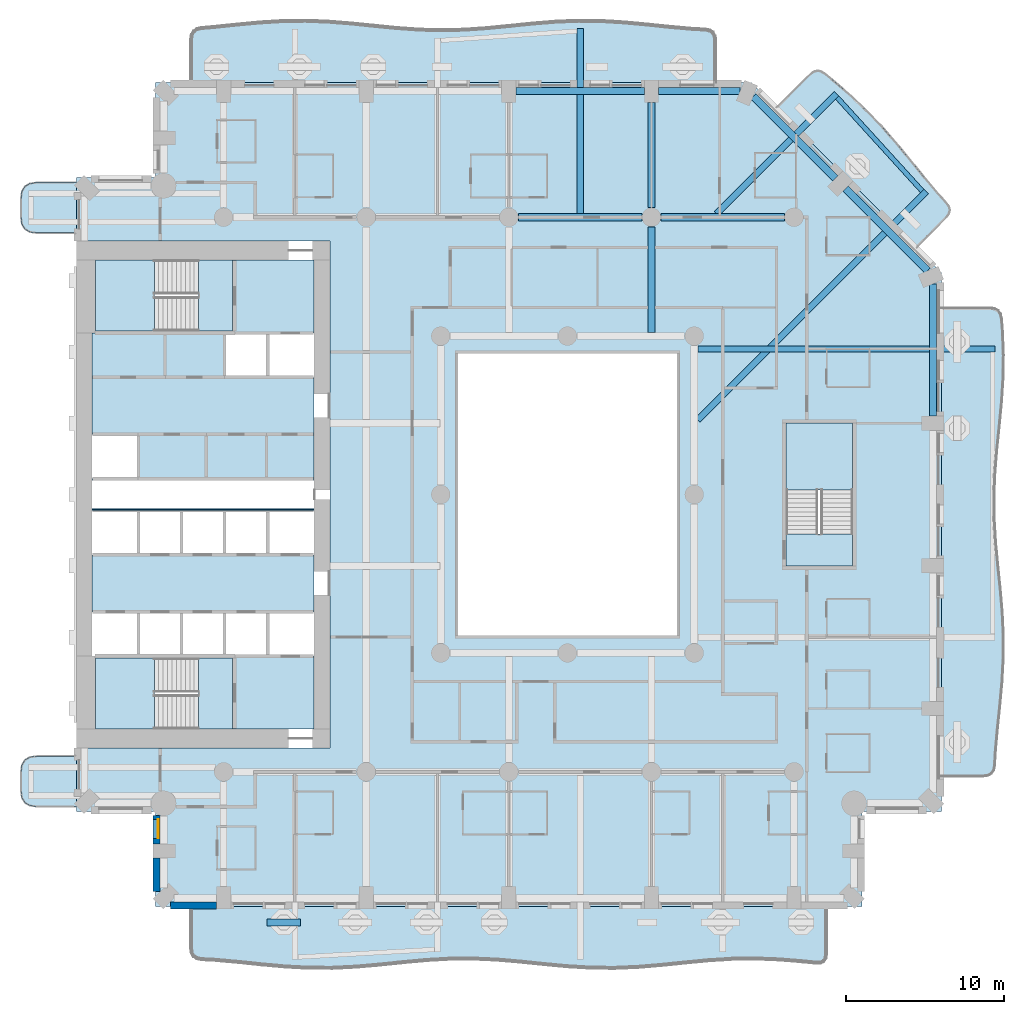
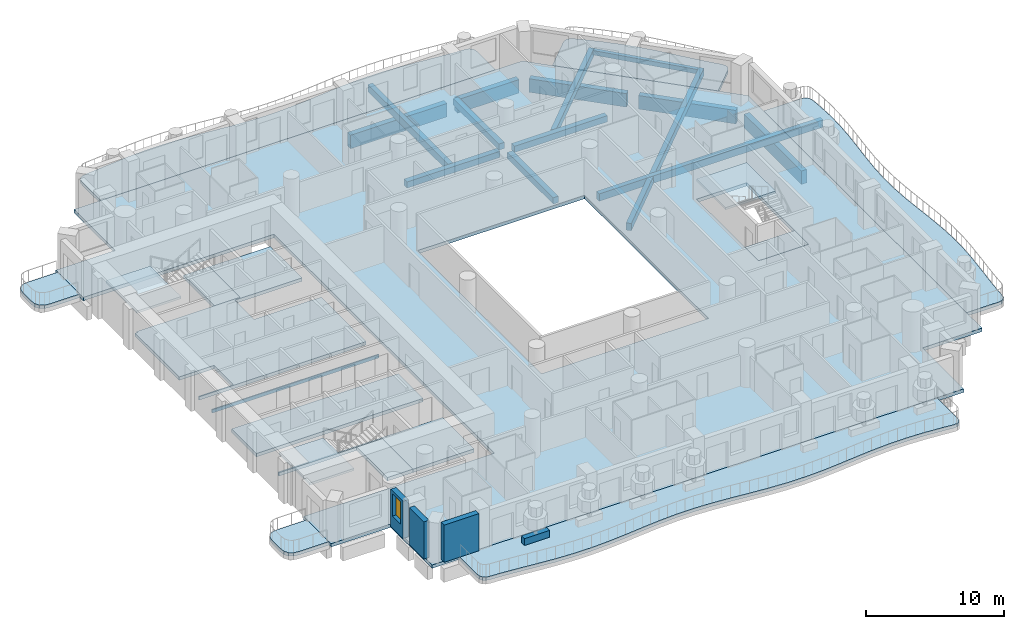
# One storey, part 2 of 20: 17 slabs, 14 beams, 4 walls, 1 window, 1 opening, 3 elements without a shape of their own.
"""IFC4 building model written with IfcOpenShell, lengths in metres."""

from ifc_helpers import new_model, si_unit, direction, frame, frame_2d, origin, origin_2d, place, context, subcontext, project, spatial, polyline, rectangle, outline, extrude, material, layer, layer_set, material_profile, profile_set, type_object, element, fill, aggregate, save


model = new_model("IFC4")

# Units and contexts
model_context = context("Model", 3, precision=1e-05, world=origin(), true_north=direction((0.0, 1.0)))
body_context = subcontext(model_context, "Body", "Model", "MODEL_VIEW")
ifc_project = project(units=[si_unit("LENGTHUNIT", "METRE"), si_unit("AREAUNIT", "SQUARE_METRE"), si_unit("VOLUMEUNIT", "CUBIC_METRE"), si_unit("PLANEANGLEUNIT", "RADIAN"), si_unit("MASSUNIT", "GRAM", prefix="KILO")], contexts=[model_context])

# Site, building, storey
site_placement = place(None, origin())
site = spatial("IfcSite", under=ifc_project, at=site_placement, CompositionType="ELEMENT")
building_placement = place(site_placement, origin())
building = spatial("IfcBuilding", under=site, at=building_placement, Name="Cypress Arch Tower", CompositionType="ELEMENT")
storey_placement = place(building_placement, frame((0.0, 0.0, 87.89990234375)))
storey = spatial("IfcBuildingStorey", under=building, at=storey_placement, Name="L16", CompositionType="ELEMENT", Elevation=87.89990234375)

# Beams
ifc_material_1 = material(Name="Concrete C50/60", Category="concrete")
ifc_material_profile_1 = material_profile(ifc_material_1, rectangle(XDim=0.300048828125, YDim=0.39990234375, at=origin_2d()), Name="RC 300x400")
ifc_profile_set_1 = profile_set([ifc_material_profile_1], Name="Concrete C50/60")
beam_type_1 = type_object("IfcBeamType", Name="Balcony edge beam RC 300x400 Concrete C50/60", PredefinedType="BEAM", material=ifc_profile_set_1)
beam_1_placement = place(storey_placement, frame((23.3857421875, 19.156494140625, -0.5), z_axis=(-0.673104178603, 0.739547675777, 0.0), x_axis=(-0.739547675777, -0.673104178603, 0.0)))
element("IfcBeam", 1, at=beam_1_placement, inside=storey, type_object=beam_type_1, Name="Balcony edge beam L16 A07", PredefinedType="BEAM", context=body_context, shape_type="SweptSolid", body=[
    extrude(rectangle(XDim=0.300048828125, YDim=0.39990234375, at=origin_2d()), origin(), (0.0, 0.0, 1.0), 7.9697265625),
])
ifc_material_2 = material(Name="Concrete C50/60", Category="concrete")
ifc_material_profile_2 = material_profile(ifc_material_2, rectangle(XDim=0.39990234375, YDim=0.64990234375, at=origin_2d()), Name="RC 400x650")
ifc_profile_set_2 = profile_set([ifc_material_profile_2], Name="Concrete C50/60")
beam_type_2 = type_object("IfcBeamType", Name="Cantilever beam RC 400x650 Concrete C50/60", PredefinedType="BEAM", material=ifc_profile_set_2)
beam_2_placement = place(storey_placement, frame((9.22509765625, 9.18798828125, -0.625), z_axis=(1.0, 0.0, 0.0), x_axis=(0.0, 1.0, 0.0)))
element("IfcBeam", 2, at=beam_2_placement, inside=storey, type_object=beam_type_2, Name="Cantilever beam L16 A06 2", PredefinedType="BEAM", context=body_context, shape_type="SweptSolid", body=[
    extrude(rectangle(XDim=0.39990234375, YDim=0.64990234375, at=origin_2d()), origin(), (0.0, 0.0, 1.0), 18.759033203125),
])
beam_3_placement = place(storey_placement, frame((9.22509765625, 4.712890625, -0.625), z_axis=(0.707100790305, 0.707112772018, 0.0), x_axis=(-0.707112772018, 0.707100790305, 0.0)))
element("IfcBeam", 3, at=beam_3_placement, inside=storey, type_object=beam_type_2, Name="Cantilever beam L16 A07 1", PredefinedType="BEAM", context=body_context, shape_type="SweptSolid", body=[
    extrude(rectangle(XDim=0.39990234375, YDim=0.64990234375, at=origin_2d()), origin(), (0.0, 0.0, 1.0), 20.376220703125),
])
beam_4_placement = place(storey_placement, frame((10.412841796875, 17.72509765625, -0.625), z_axis=(0.707118179241, 0.707095382949, 0.0), x_axis=(-0.707095382949, 0.707118179241, 0.0)))
element("IfcBeam", 4, at=beam_4_placement, inside=storey, type_object=beam_type_2, Name="Cantilever beam L16 A07 2", PredefinedType="BEAM", context=body_context, shape_type="SweptSolid", body=[
    extrude(rectangle(XDim=0.39990234375, YDim=0.64990234375, at=origin_2d()), origin(), (0.0, 0.0, 1.0), 10.709716796875),
])
beam_5_placement = place(storey_placement, frame((1.800048828125, 17.72509765625, -0.625), z_axis=(0.0, 1.0, 0.0), x_axis=(-1.0, 0.0, 0.0)))
element("IfcBeam", 5, at=beam_5_placement, inside=storey, type_object=beam_type_2, Name="Cantilever beam L16 A08 1", PredefinedType="BEAM", context=body_context, shape_type="SweptSolid", body=[
    extrude(rectangle(XDim=0.39990234375, YDim=0.64990234375, at=origin_2d()), origin(), (0.0, 0.0, 1.0), 11.671142578125),
])
ifc_material_3 = material(Name="Concrete C50/60", Category="concrete")
ifc_material_profile_3 = material_profile(ifc_material_3, rectangle(XDim=0.449951171875, YDim=0.550048828125, at=origin_2d()), Name="RC 450x550")
ifc_profile_set_3 = profile_set([ifc_material_profile_3], Name="Concrete C50/60")
beam_type_3 = type_object("IfcBeamType", Name="Floor beam RC 450x550 Concrete C50/60", PredefinedType="BEAM", material=ifc_profile_set_3)
for number, where, z_axis, x_axis, name in (
    (6, (-2.10009765625, 17.5, -0.574951171875), (1.0, 0.0, 0.0), (0.0, 1.0, 0.0), "Floor beam L16 FB017"),
    (7, (6.89990234375, 17.5, -0.574951171875), (1.0, 0.0, 0.0), (0.0, 1.0, 0.0), "Floor beam L16 FB018"),
):
    element("IfcBeam", number, at=place(storey_placement, frame(where, z_axis=z_axis, x_axis=x_axis)), inside=storey, type_object=beam_type_3, Name=name, PredefinedType="BEAM", context=body_context, shape_type="SweptSolid", body=[
        extrude(rectangle(XDim=0.449951171875, YDim=0.550048828125, at=origin_2d()), origin(), (0.0, 0.0, 1.0), 7.800048828125),
    ])
beam_6_placement = place(storey_placement, frame((6.300048828125, 10.22509765625, -0.574951171875), z_axis=(0.0, 1.0, 0.0), x_axis=(-1.0, 0.0, 0.0)))
element("IfcBeam", 8, at=beam_6_placement, inside=storey, type_object=beam_type_3, Name="Floor beam L16 FB032", PredefinedType="BEAM", context=body_context, shape_type="SweptSolid", body=[
    extrude(rectangle(XDim=0.449951171875, YDim=0.550048828125, at=origin_2d()), origin(), (0.0, 0.0, 1.0), 6.6748046875),
])
beam_7_placement = place(storey_placement, frame((6.300048828125, 18.10009765625, -0.574951171875), z_axis=(0.0, 1.0, 0.0), x_axis=(-1.0, 0.0, 0.0)))
element("IfcBeam", 9, at=beam_7_placement, inside=storey, type_object=beam_type_3, Name="Floor beam L16 FB033", PredefinedType="BEAM", context=body_context, shape_type="SweptSolid", body=[
    extrude(rectangle(XDim=0.449951171875, YDim=0.550048828125, at=origin_2d()), origin(), (0.0, 0.0, 1.0), 6.64990234375),
])
ifc_material_4 = material(Name="Concrete C50/60", Category="concrete")
ifc_material_profile_4 = material_profile(ifc_material_4, rectangle(XDim=0.449951171875, YDim=1.199951171875, at=origin_2d()), Name="RC 450x1200")
ifc_profile_set_4 = profile_set([ifc_material_profile_4], Name="Concrete C50/60")
beam_type_4 = type_object("IfcBeamType", Name="Spandrel beam RC 450x1200 Concrete C50/60", PredefinedType="SPANDREL", material=ifc_profile_set_4)
beam_8_placement = place(storey_placement, frame((24.074951171875, 4.949951171875, -1.5498046875), z_axis=(0.0, 1.0, 0.0), x_axis=(-1.0, 0.0, 0.0)))
element("IfcBeam", 10, at=beam_8_placement, inside=storey, type_object=beam_type_4, Name="Spandrel beam L16 BA06-3", PredefinedType="SPANDREL", context=body_context, shape_type="SweptSolid", body=[
    extrude(rectangle(XDim=0.449951171875, YDim=1.199951171875, at=origin_2d()), origin(), (0.0, 0.0, 1.0), 8.345458984375),
])
for number, where, z_axis, x_axis, name in (
    (11, (23.73046875, 14.126953125, -1.5498046875), (-0.707106781187, 0.707106781187, 0.0), (-0.707106781187, -0.707106781187, 0.0), "Spandrel beam L16 BA07-0"),
    (12, (17.91064453125, 19.947021484375, -1.5498046875), (-0.707106781187, 0.707106781187, 0.0), (-0.707106781187, -0.707106781187, 0.0), "Spandrel beam L16 BA07-1"),
):
    element("IfcBeam", number, at=place(storey_placement, frame(where, z_axis=z_axis, x_axis=x_axis)), inside=storey, type_object=beam_type_4, Name=name, PredefinedType="SPANDREL", context=body_context, shape_type="SweptSolid", body=[
        extrude(rectangle(XDim=0.449951171875, YDim=1.199951171875, at=origin_2d()), origin(), (0.0, 0.0, 1.0), 7.330810546875),
    ])
beam_9_placement = place(storey_placement, frame((11.8955078125, 25.47509765625, -1.5498046875), z_axis=(-1.0, 0.0, 0.0), x_axis=(0.0, -1.0, 0.0)))
element("IfcBeam", 13, at=beam_9_placement, inside=storey, type_object=beam_type_4, Name="Spandrel beam L16 BA08-0", PredefinedType="SPANDREL", context=body_context, shape_type="SweptSolid", body=[
    extrude(rectangle(XDim=0.449951171875, YDim=1.199951171875, at=origin_2d()), origin(), (0.0, 0.0, 1.0), 5.1455078125),
])
beam_10_placement = place(storey_placement, frame((5.85009765625, 25.47509765625, -1.5498046875), z_axis=(-1.0, 0.0, 0.0), x_axis=(0.0, -1.0, 0.0)))
element("IfcBeam", 14, at=beam_10_placement, inside=storey, type_object=beam_type_4, Name="Spandrel beam L16 BA08-1", PredefinedType="SPANDREL", context=body_context, shape_type="SweptSolid", body=[
    extrude(rectangle(XDim=0.449951171875, YDim=1.199951171875, at=origin_2d()), origin(), (0.0, 0.0, 1.0), 8.10009765625),
])

# Slabs
ifc_material_5 = material(Name="Concrete C40/50", Category="concrete")
ifc_layer_1 = layer(ifc_material_5, 0.300048828125)
ifc_layer_set_1 = layer_set([ifc_layer_1], Name="Balcony slab BS300")
slab_type_1 = type_object("IfcSlabType", Name="Balcony slab BS300", PredefinedType="USERDEFINED", material=ifc_layer_set_1)
slab_1_placement = place(storey_placement, frame((0.0, 0.0, -0.2998046875)))
element("IfcSlab", 15, at=slab_1_placement, inside=storey, type_object=slab_type_1, Name="Balcony slab L16-A00W0", ObjectType="BALCONY SLAB", PredefinedType="USERDEFINED", context=body_context, shape_type="SweptSolid", body=[
    extrude(outline(polyline([(-30.0, 19.699951171875), (-32.5, 19.699951171875), (-32.9375, 19.637451171875), (-33.25, 19.449951171875), (-33.4375, 19.137451171875), (-33.5, 18.699951171875), (-33.5, 17.5), (-33.4375, 17.0625), (-33.25, 16.75), (-32.9375, 16.5625), (-32.5, 16.5), (-30.0, 16.5), (-30.0, 19.699951171875)])), origin(), (0.0, 0.0, 1.0), 0.2998046875),
])
slab_2_placement = place(storey_placement, frame((0.0, 0.0, -0.2998046875)))
element("IfcSlab", 16, at=slab_2_placement, inside=storey, type_object=slab_type_1, Name="Balcony slab L16-A00W1", ObjectType="BALCONY SLAB", PredefinedType="USERDEFINED", context=body_context, shape_type="SweptSolid", body=[
    extrude(outline(polyline([(-30.0, -16.5), (-32.5, -16.5), (-32.9375, -16.5625), (-33.25, -16.75), (-33.4375, -17.0625), (-33.5, -17.5), (-33.5, -18.699951171875), (-33.4375, -19.137451171875), (-33.25, -19.449951171875), (-32.9375, -19.637451171875), (-32.5, -19.699951171875), (-30.0, -19.699951171875), (-30.0, -16.5)])), origin(), (0.0, 0.0, 1.0), 0.2998046875),
])
slab_3_placement = place(storey_placement, frame((0.0, 0.0, -0.2998046875)))
element("IfcSlab", 17, at=slab_3_placement, inside=storey, type_object=slab_type_1, Name="Balcony slab L16-A03", ObjectType="BALCONY SLAB", PredefinedType="USERDEFINED", context=body_context, shape_type="SweptSolid", body=[
    extrude(outline(polyline([(-22.75, -26.0), (-22.75, -28.64111328125), (-22.708251953125, -28.93603515625), (-22.5830078125, -29.151611328125), (-22.3740234375, -29.287841796875), (-22.081787109375, -29.3447265625), (-21.264892578125, -29.38671875), (-19.779541015625, -29.519287109375), (-18.29443359375, -29.673095703125), (-16.809326171875, -29.8076171875), (-15.323974609375, -29.8876953125), (-13.8388671875, -29.89208984375), (-12.353759765625, -29.819580078125), (-10.868408203125, -29.689453125), (-9.38330078125, -29.535888671875), (-7.898193359375, -29.399169921875), (-6.412841796875, -29.315185546875), (-4.927734375, -29.305908203125), (-3.442626953125, -29.3740234375), (-1.95751953125, -29.501708984375), (-0.47216796875, -29.655029296875), (1.012939453125, -29.7939453125), (2.498046875, -29.8818359375), (3.9833984375, -29.895751953125), (5.468505859375, -29.83203125), (6.95361328125, -29.70703125), (8.43896484375, -29.55419921875), (9.924072265625, -29.413330078125), (11.4091796875, -29.321533203125), (12.89453125, -29.302734375), (14.379638671875, -29.3623046875), (15.86474609375, -29.484130859375), (16.681640625, -29.568115234375), (16.97412109375, -29.555908203125), (17.182861328125, -29.451416015625), (17.308349609375, -29.25439453125), (17.35009765625, -28.964599609375), (17.35009765625, -26.0), (-22.75, -26.0)])), origin(), (0.0, 0.0, 1.0), 0.2998046875),
])
slab_4_placement = place(storey_placement, frame((0.0, 0.0, -0.2998046875)))
element("IfcSlab", 18, at=slab_4_placement, inside=storey, type_object=slab_type_1, Name="Balcony slab L16-A06", ObjectType="BALCONY SLAB", PredefinedType="USERDEFINED", context=body_context, shape_type="SweptSolid", body=[
    extrude(outline(polyline([(24.60009765625, -17.75), (27.24560546875, -17.75), (27.53857421875, -17.70849609375), (27.752685546875, -17.583984375), (27.887939453125, -17.376708984375), (27.9443359375, -17.086181640625), (27.986083984375, -16.27490234375), (28.1171875, -14.800048828125), (28.27001953125, -13.324951171875), (28.404541015625, -11.85009765625), (28.486083984375, -10.375), (28.493408203125, -8.89990234375), (28.4248046875, -7.425048828125), (28.297607421875, -5.949951171875), (28.145263671875, -4.47509765625), (28.007080078125, -3.0), (27.9189453125, -1.52490234375), (27.90380859375, -0.050048828125), (27.96533203125, 1.425048828125), (28.087646484375, 2.89990234375), (28.2392578125, 4.375), (28.380615234375, 5.85009765625), (28.47509765625, 7.324951171875), (28.498291015625, 8.800048828125), (28.4443359375, 10.27490234375), (28.379638671875, 11.086181640625), (28.31494140625, 11.376708984375), (28.173583984375, 11.583984375), (27.95556640625, 11.70849609375), (27.660888671875, 11.75), (24.60009765625, 11.75), (24.60009765625, -17.75)])), origin(), (0.0, 0.0, 1.0), 0.2998046875),
])
slab_5_placement = place(storey_placement, frame((0.0, 0.0, -0.2998046875)))
element("IfcSlab", 19, at=slab_5_placement, inside=storey, type_object=slab_type_1, Name="Balcony slab L16-A07", ObjectType="BALCONY SLAB", PredefinedType="USERDEFINED", context=body_context, shape_type="SweptSolid", body=[
    extrude(outline(polyline([(23.009033203125, 15.591064453125), (24.908203125, 17.490234375), (25.0751953125, 17.71240234375), (25.134521484375, 17.93701171875), (25.08642578125, 18.16455078125), (24.930908203125, 18.39453125), (24.4189453125, 18.96044921875), (23.52392578125, 20.025146484375), (22.645263671875, 21.10595703125), (21.759765625, 22.179931640625), (20.845703125, 23.225341796875), (19.887939453125, 24.227294921875), (18.881591796875, 25.1806640625), (17.832763671875, 26.09130859375), (17.2412109375, 26.577392578125), (17.001708984375, 26.723876953125), (16.767578125, 26.76513671875), (16.538330078125, 26.701171875), (16.314208984375, 26.5322265625), (14.19091796875, 24.408935546875), (23.009033203125, 15.591064453125)])), origin(), (0.0, 0.0, 1.0), 0.2998046875),
])
slab_6_placement = place(storey_placement, frame((0.0, 0.0, -0.2998046875)))
element("IfcSlab", 20, at=slab_6_placement, inside=storey, type_object=slab_type_1, Name="Balcony slab L16-A08", ObjectType="BALCONY SLAB", PredefinedType="USERDEFINED", context=body_context, shape_type="SweptSolid", body=[
    extrude(outline(polyline([(10.35009765625, 26.0), (10.35009765625, 28.661865234375), (10.3095703125, 28.947509765625), (10.18798828125, 29.15625), (9.98583984375, 29.288330078125), (9.702392578125, 29.34326171875), (8.910888671875, 29.38330078125), (7.4716796875, 29.510009765625), (6.03271484375, 29.658935546875), (4.593505859375, 29.79345703125), (3.154296875, 29.8798828125), (1.71533203125, 29.897216796875), (0.276123046875, 29.84130859375), (-1.1630859375, 29.7255859375), (-2.602294921875, 29.578857421875), (-4.041259765625, 29.437255859375), (-5.48046875, 29.336181640625), (-6.919677734375, 29.300048828125), (-8.358642578125, 29.338134765625), (-9.7978515625, 29.44091796875), (-11.237060546875, 29.5830078125), (-12.676025390625, 29.729248046875), (-14.115234375, 29.84375), (-15.554443359375, 29.897705078125), (-16.993408203125, 29.87841796875), (-18.4326171875, 29.790283203125), (-19.871826171875, 29.655029296875), (-21.310791015625, 29.506103515625), (-22.102294921875, 29.43701171875), (-22.3857421875, 29.371826171875), (-22.588134765625, 29.232177734375), (-22.70947265625, 29.0185546875), (-22.75, 28.73046875), (-22.75, 26.0), (10.35009765625, 26.0)])), origin(), (0.0, 0.0, 1.0), 0.2998046875),
])
ifc_material_6 = material(Name="Concrete C40/50", Category="concrete")
ifc_layer_2 = layer(ifc_material_6, 0.300048828125)
ifc_layer_set_2 = layer_set([ifc_layer_2], Name="Core floor CF300")
slab_type_2 = type_object("IfcSlabType", Name="Core floor CF300", PredefinedType="FLOOR", material=ifc_layer_set_2)
slab_7_placement = place(storey_placement, frame((0.0, 0.0, -0.2998046875)))
element("IfcSlab", 21, at=slab_7_placement, inside=storey, type_object=slab_type_2, Name="Core floor", PredefinedType="FLOOR", context=body_context, shape_type="SweptSolid", body=[
    extrude(outline(polyline([(-20.125, -14.800048828125), (-15.0, -14.800048828125), (-15.0, -10.199951171875), (-17.919921875, -10.199951171875), (-20.639892578125, -10.199951171875), (-23.360107421875, -10.199951171875), (-26.080078125, -10.199951171875), (-28.800048828125, -10.199951171875), (-28.800048828125, -10.324951171875), (-22.27490234375, -10.324951171875), (-20.125, -10.324951171875), (-20.125, -14.800048828125)])), origin(), (0.0, 0.0, 1.0), 0.2998046875),
])
slab_8_placement = place(storey_placement, frame((0.0, 0.0, -0.2998046875)))
element("IfcSlab", 22, at=slab_8_placement, inside=storey, type_object=slab_type_2, Name="Core floor", PredefinedType="FLOOR", context=body_context, shape_type="SweptSolid", body=[
    extrude(outline(polyline([(-29.0, -3.800048828125), (-29.0, -7.39990234375), (-26.080078125, -7.39990234375), (-23.360107421875, -7.39990234375), (-20.639892578125, -7.39990234375), (-17.919921875, -7.39990234375), (-15.0, -7.39990234375), (-15.0, -3.800048828125), (-17.919921875, -3.800048828125), (-20.639892578125, -3.800048828125), (-23.360107421875, -3.800048828125), (-26.080078125, -3.800048828125), (-29.0, -3.800048828125)])), origin(), (0.0, 0.0, 1.0), 0.2998046875),
])
slab_9_placement = place(storey_placement, frame((0.0, 0.0, -0.2998046875)))
element("IfcSlab", 23, at=slab_9_placement, inside=storey, type_object=slab_type_2, Name="Core floor", PredefinedType="FLOOR", context=body_context, shape_type="SweptSolid", body=[
    extrude(outline(polyline([(-29.0, 3.800048828125), (-29.0, 10.199951171875), (-28.800048828125, 10.199951171875), (-28.800048828125, 10.324951171875), (-28.60009765625, 10.324951171875), (-22.27490234375, 10.324951171875), (-20.125, 10.324951171875), (-20.125, 14.800048828125), (-15.39990234375, 14.800048828125), (-15.0, 14.800048828125), (-15.0, 10.199951171875), (-15.39990234375, 10.199951171875), (-17.919921875, 10.199951171875), (-20.639892578125, 10.199951171875), (-20.639892578125, 7.39990234375), (-17.919921875, 7.39990234375), (-15.39990234375, 7.39990234375), (-15.0, 7.39990234375), (-15.0, 0.89990234375), (-28.60009765625, 0.89990234375), (-29.0, 0.89990234375), (-29.0, 1.0), (-28.60009765625, 1.0), (-26.080078125, 1.0), (-26.080078125, 3.800048828125), (-28.60009765625, 3.800048828125), (-29.0, 3.800048828125)])), origin(), (0.0, 0.0, 1.0), 0.2998046875),
])
slab_10_placement = place(storey_placement, frame((0.0, 0.0, -0.2998046875)))
element("IfcSlab", 24, at=slab_10_placement, inside=storey, type_object=slab_type_2, Name="Core floor", PredefinedType="FLOOR", context=body_context, shape_type="SweptSolid", body=[
    extrude(outline(polyline([(-22.27490234375, -10.324951171875), (-22.27490234375, -14.800048828125), (-20.125, -14.800048828125), (-20.125, -10.324951171875), (-22.27490234375, -10.324951171875)])), origin(), (0.0, 0.0, 1.0), 0.2998046875),
])
slab_11_placement = place(storey_placement, frame((0.0, 0.0, -0.2998046875)))
element("IfcSlab", 25, at=slab_11_placement, inside=storey, type_object=slab_type_2, Name="Core floor", PredefinedType="FLOOR", context=body_context, shape_type="SweptSolid", body=[
    extrude(outline(polyline([(-20.125, 14.800048828125), (-22.27490234375, 14.800048828125), (-22.27490234375, 10.324951171875), (-20.125, 10.324951171875), (-20.125, 14.800048828125)])), origin(), (0.0, 0.0, 1.0), 0.2998046875),
])
slab_12_placement = place(storey_placement, frame((0.0, 0.0, -0.2998046875)))
element("IfcSlab", 26, at=slab_12_placement, inside=storey, type_object=slab_type_2, Name="Stair floor landing", PredefinedType="FLOOR", context=body_context, shape_type="SweptSolid", body=[
    extrude(outline(polyline([(19.0, -4.5), (19.0, -2.5), (14.800048828125, -2.5), (14.800048828125, -4.5), (19.0, -4.5)])), origin(), (0.0, 0.0, 1.0), 0.2998046875),
])
slab_13_placement = place(storey_placement, frame((0.0, 0.0, -0.2998046875)))
element("IfcSlab", 27, at=slab_13_placement, inside=storey, type_object=slab_type_2, Name="Core floor", PredefinedType="FLOOR", context=body_context, shape_type="SweptSolid", body=[
    extrude(outline(polyline([(-20.639892578125, -1.0), (-23.360107421875, -1.0), (-26.080078125, -1.0), (-28.60009765625, -1.0), (-29.0, -1.0), (-29.0, -0.89990234375), (-28.60009765625, -0.89990234375), (-15.39990234375, -0.89990234375), (-15.0, -0.89990234375), (-15.0, -1.0), (-15.39990234375, -1.0), (-17.919921875, -1.0), (-20.639892578125, -1.0)])), origin(), (0.0, 0.0, 1.0), 0.2998046875),
])
ifc_material_7 = material(Name="Concrete C40/50", Category="concrete")
ifc_layer_3 = layer(ifc_material_7, 0.300048828125)
ifc_layer_set_3 = layer_set([ifc_layer_3], Name="PT flat slab 300 Concrete C40/50")
slab_type_3 = type_object("IfcSlabType", Name="PT flat slab 300 Concrete C40/50", PredefinedType="FLOOR", material=ifc_layer_set_3)
slab_14_placement = place(storey_placement, frame((0.0, 0.0, -0.2998046875)))
element("IfcSlab", 28, at=slab_14_placement, inside=storey, type_object=slab_type_3, Name="Floor slab L16", PredefinedType="FLOOR", context=body_context, shape_type="SweptSolid", body=[
    extrude(outline(polyline([(-30.0, 20.0), (-25.0, 20.0), (-25.0, 26.0), (12.60009765625, 26.0), (24.60009765625, 14.0), (24.60009765625, -20.0), (19.60009765625, -20.0), (19.60009765625, -26.0), (-25.0, -26.0), (-25.0, -20.0), (-30.0, -20.0), (-30.0, -16.0), (-14.0, -16.0), (-14.0, 16.0), (-30.0, 16.0), (-30.0, 20.0)]), holes=[polyline([(-6.0, -9.0), (8.0, -9.0), (8.0, 9.0), (-6.0, 9.0), (-6.0, -9.0)]), polyline([(14.800048828125, -4.5), (19.0, -4.5), (19.0, 4.5), (14.800048828125, 4.5), (14.800048828125, -4.5)])]), origin(), (0.0, 0.0, 1.0), 0.2998046875),
])

# Stair, slab
ifc_material_8 = material(Name="Concrete C40/50", Category="concrete")
stair_type_1 = type_object("IfcStairType", Name="Exit stair ES1636-215", PredefinedType="HALF_TURN_STAIR", material=ifc_material_8)
stair_1_placement = place(storey_placement, origin())
stair_1 = element("IfcStair", 29, at=stair_1_placement, inside=storey, type_object=stair_type_1, Name="L16 Exit stair A", PredefinedType="HALF_TURN_STAIR")
ifc_material_9 = material(Name="Concrete C40/50", Category="concrete")
ifc_layer_4 = layer(ifc_material_9, 0.199951171875)
ifc_layer_set_4 = layer_set([ifc_layer_4], Name="Stair landing SL200")
slab_type_4 = type_object("IfcSlabType", Name="Stair landing SL200", PredefinedType="LANDING", material=ifc_layer_set_4)
slab_15_placement = place(storey_placement, frame((0.0, 0.0, 1.60009765625)))
slab_15 = element("IfcSlab", 30, at=slab_15_placement, type_object=slab_type_4, Name="A landing 1", PredefinedType="LANDING", context=body_context, shape_type="SweptSolid", body=[
    extrude(outline(polyline([(-25.074951171875, -10.324951171875), (-28.800048828125, -10.324951171875), (-28.800048828125, -14.800048828125), (-25.074951171875, -14.800048828125), (-25.074951171875, -10.324951171875)])), origin(), (0.0, 0.0, 1.0), 0.199951171875),
])
aggregate(stair_1, [slab_15])

stair_2_placement = place(storey_placement, origin())
stair_2 = element("IfcStair", 31, at=stair_2_placement, inside=storey, type_object=stair_type_1, Name="L16 Exit stair B", PredefinedType="HALF_TURN_STAIR")
slab_16_placement = place(storey_placement, frame((0.0, 0.0, 1.60009765625)))
slab_16 = element("IfcSlab", 32, at=slab_16_placement, type_object=slab_type_4, Name="B landing 1", PredefinedType="LANDING", context=body_context, shape_type="SweptSolid", body=[
    extrude(outline(polyline([(-25.074951171875, 14.800048828125), (-28.800048828125, 14.800048828125), (-28.800048828125, 10.324951171875), (-25.074951171875, 10.324951171875), (-25.074951171875, 14.800048828125)])), origin(), (0.0, 0.0, 1.0), 0.199951171875),
])
aggregate(stair_2, [slab_16])

ifc_material_10 = material(Name="Concrete C40/50", Category="concrete")
stair_type_2 = type_object("IfcStairType", Name="Exit stair ES1636-200", PredefinedType="HALF_TURN_STAIR", material=ifc_material_10)
stair_3_placement = place(storey_placement, origin())
stair_3 = element("IfcStair", 33, at=stair_3_placement, inside=storey, type_object=stair_type_2, Name="L16 Exit stair C", PredefinedType="HALF_TURN_STAIR")
slab_17_placement = place(storey_placement, frame((0.0, 0.0, 1.60009765625)))
slab_17 = element("IfcSlab", 34, at=slab_17_placement, type_object=slab_type_4, Name="C landing 1", PredefinedType="LANDING", context=body_context, shape_type="SweptSolid", body=[
    extrude(outline(polyline([(19.0, 0.300048828125), (19.0, 4.5), (14.800048828125, 4.5), (14.800048828125, 0.300048828125), (19.0, 0.300048828125)])), origin(), (0.0, 0.0, 1.0), 0.199951171875),
])
aggregate(stair_3, [slab_17])

# Wall
ifc_material_11 = material(Name="Concrete C40/50, waterproofed", Category="concrete")
ifc_layer_5 = layer(ifc_material_11, 0.449951171875)
ifc_layer_set_5 = layer_set([ifc_layer_5], Name="Balcony planter wall PW450")
wall_type_1 = type_object("IfcWallType", Name="Balcony planter wall PW450", PredefinedType="SOLIDWALL", material=ifc_layer_set_5)
wall_1_placement = place(storey_placement, frame((-17.949951171875, -27.0, 0.0), z_axis=(0.0, 0.0, 1.0), x_axis=(1.0, 0.0, 0.0)))
element("IfcWall", 35, at=wall_1_placement, inside=storey, type_object=wall_type_1, Name="Balcony planter wall L16-A03.1", PredefinedType="SOLIDWALL", context=body_context, shape_type="SweptSolid", body=[
    extrude(rectangle(XDim=2.099853515625, YDim=0.449951171875, at=frame_2d((1.0498046875, 0.0))), origin(), (0.0, 0.0, 1.0), 0.60009765625),
])

# Wall, opening, window
ifc_material_12 = material(Name="Brick (red buff blend)", Category="masonry")
ifc_layer_6 = layer(ifc_material_12, 0.449951171875)
ifc_layer_set_6 = layer_set([ifc_layer_6], Name="Brick pier and spandrel wall BW450")
wall_type_2 = type_object("IfcWallType", Name="Brick pier and spandrel wall BW450", PredefinedType="SOLIDWALL", material=ifc_layer_set_6)
wall_2_placement = place(storey_placement, frame((-24.925048828125, -20.258544921875, 0.0), z_axis=(0.0, 0.0, 1.0), x_axis=(0.0, -1.0, 0.0)))
wall_2 = element("IfcWall", 36, at=wall_2_placement, inside=storey, type_object=wall_type_2, Name="Brick wall L16 A02.0", PredefinedType="SOLIDWALL", context=body_context, shape_type="SweptSolid", body=[
    extrude(rectangle(XDim=1.79150390625, YDim=0.449951171875, at=frame_2d((0.895751953125, 0.0))), origin(), (0.0, 0.0, 1.0), 3.300048828125),
])
opening_placement = place(wall_2_placement, frame((0.241455078125, 0.0, 1.050048828125)))
opening = element("IfcOpeningElement", 37, at=opening_placement, cuts=wall_2, Name="Opening W120H", PredefinedType="OPENING", context=body_context, shape_type="SweptSolid", body=[
    extrude(rectangle(XDim=1.199951171875, YDim=2.0, at=frame_2d((0.60009765625, 1.0))), frame((0.0, 0.23486328125, 0.0), z_axis=(0.0, -1.0, 0.0), x_axis=(1.0, 0.0, 0.0)), (0.0, 0.0, 1.0), 0.469970703125),
])
ifc_material_13 = material(Name="Anodised aluminium, bronze finish, clear low-emissivity double glazing", Category="aluminium")
window_type = type_object("IfcWindowType", Name="Window Hotel 1200x2000", PartitioningType="SINGLE_PANEL", PredefinedType="WINDOW", material=ifc_material_13)
window_placement = place(opening_placement, origin())
window = element("IfcWindow", 38, at=window_placement, inside=storey, type_object=window_type, Name="Window L16 A02.0.1", OverallHeight=2.0, OverallWidth=1.199951171875, PartitioningType="SINGLE_PANEL", PredefinedType="WINDOW", context=body_context, shape_type="SweptSolid", body=[
    extrude(rectangle(XDim=1.199951171875, YDim=2.0, at=frame_2d((0.60009765625, 1.0))), frame((0.0, 0.135009765625, 0.0), z_axis=(0.0, -1.0, 0.0), x_axis=(1.0, 0.0, 0.0)), (0.0, 0.0, 1.0), 0.06005859375),
])
fill(opening, window)

# Walls
wall_3_placement = place(storey_placement, frame((-24.925048828125, -22.949951171875, 0.0), z_axis=(0.0, 0.0, 1.0), x_axis=(0.0, -1.0, 0.0)))
element("IfcWall", 39, at=wall_3_placement, inside=storey, type_object=wall_type_2, Name="Brick wall L16 A02.1", PredefinedType="SOLIDWALL", context=body_context, shape_type="SweptSolid", body=[
    extrude(rectangle(XDim=2.11376953125, YDim=0.449951171875, at=frame_2d((1.056884765625, 0.0))), origin(), (0.0, 0.0, 1.0), 3.300048828125),
])
wall_4_placement = place(storey_placement, frame((-24.063720703125, -25.925048828125, 0.0), z_axis=(0.0, 0.0, 1.0), x_axis=(1.0, 0.0, 0.0)))
element("IfcWall", 40, at=wall_4_placement, inside=storey, type_object=wall_type_2, Name="Brick wall L16 A03.0", PredefinedType="SOLIDWALL", context=body_context, shape_type="SweptSolid", body=[
    extrude(rectangle(XDim=2.913818359375, YDim=0.449951171875, at=frame_2d((1.45703125, 0.0))), origin(), (0.0, 0.0, 1.0), 3.300048828125),
])

save(model, "model.ifc")
